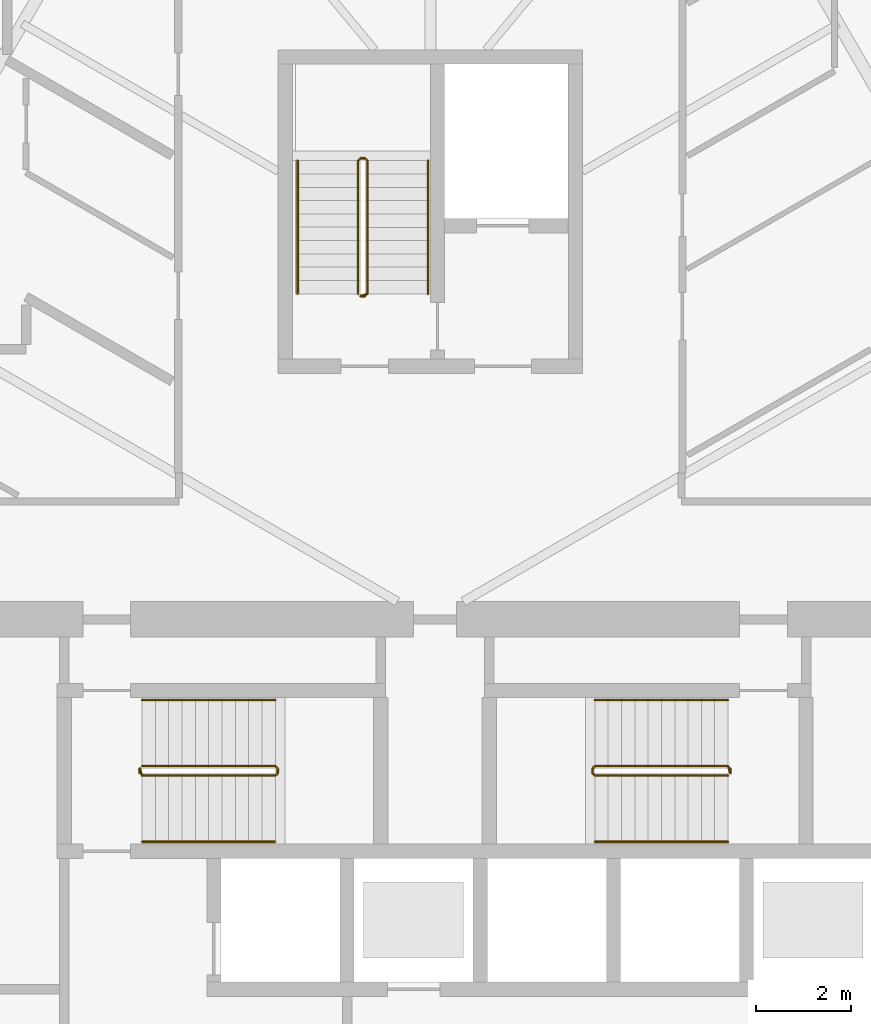
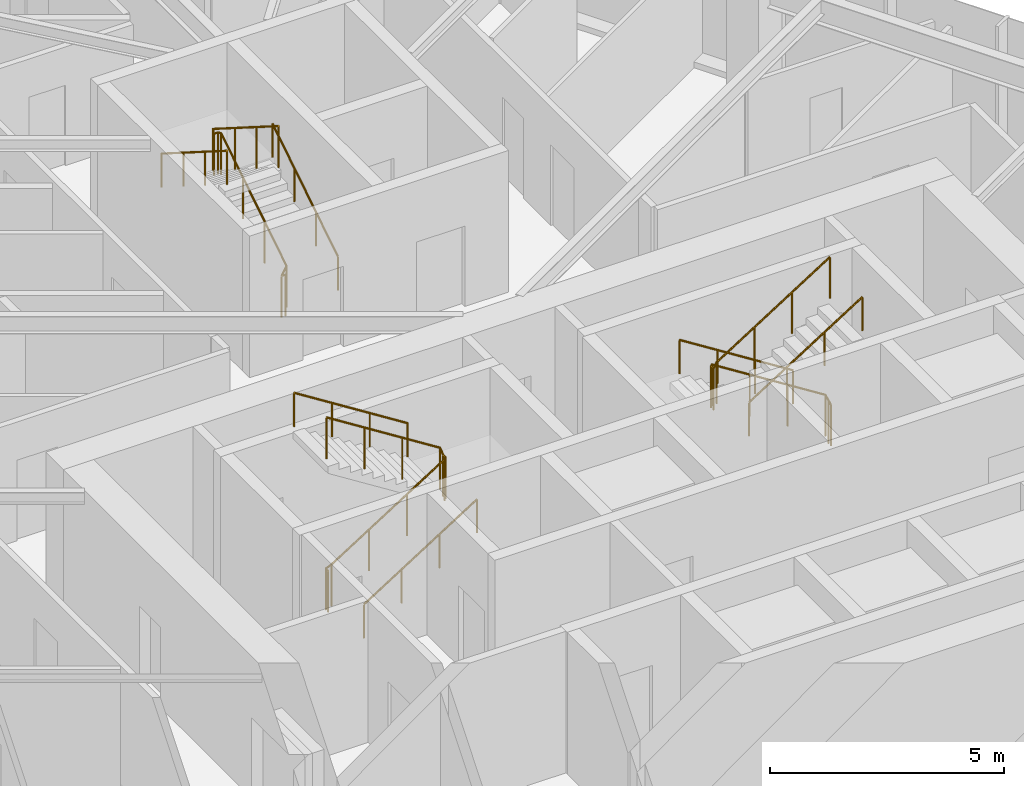
# One storey, part 15 of 16: 9 railings.
"""IFC4 building model written with IfcOpenShell, lengths in metres."""

from ifc_helpers import new_model, si_unit, direction, frame, origin, origin_2d, place, context, subcontext, project, spatial, circle, extrude, material, type_object, element, save


model = new_model("IFC4")

# Units and contexts
model_context = context("Model", 3, precision=1e-05, world=origin(), true_north=direction((0.0, 1.0)))
body_context = subcontext(model_context, "Body", "Model", "MODEL_VIEW")
ifc_project = project(units=[si_unit("LENGTHUNIT", "METRE"), si_unit("AREAUNIT", "SQUARE_METRE"), si_unit("VOLUMEUNIT", "CUBIC_METRE"), si_unit("PLANEANGLEUNIT", "RADIAN"), si_unit("MASSUNIT", "GRAM", prefix="KILO")], contexts=[model_context])

# Site, building, storey
site_placement = place(None, origin())
site = spatial("IfcSite", under=ifc_project, at=site_placement, CompositionType="ELEMENT")
building_placement = place(site_placement, origin())
building = spatial("IfcBuilding", under=site, at=building_placement, Name="Firuza Gate Tower and Library", CompositionType="ELEMENT")
storey_placement = place(building_placement, frame((0.0, 0.0, 229.89990234375)))
storey = spatial("IfcBuildingStorey", under=building, at=storey_placement, Name="L54", CompositionType="ELEMENT", Elevation=229.89990234375)

# Railings
ifc_material_1 = material(Name="Steel S355", Category="steel")
railing_type_1 = type_object("IfcRailingType", Name="Stair guard 1100", PredefinedType="GUARDRAIL", material=ifc_material_1)
railing_1_placement = place(storey_placement, frame((68.889892578125, 79.389892578125, 0.0)))
element("IfcRailing", 1, at=railing_1_placement, inside=storey, type_object=railing_type_1, Name="L54 ST1 stair guard 1", PredefinedType="GUARDRAIL", context=body_context, shape_type="SweptSolid", body=[
    extrude(circle(Radius=0.02392578125, at=origin_2d()), frame((0.0, 0.0, 1.076171875), z_axis=(0.0, 1.0, 0.0), x_axis=(-1.0, 0.0, 0.0)), (0.0, 0.0, 1.0), 0.10009765625),
    extrude(circle(Radius=0.02392578125, at=origin_2d()), frame((0.0, 0.10009765625, 1.076171875), z_axis=(0.210597297161, -0.630764587594, 0.746849927004), x_axis=(0.948528701346, 0.316691178788, 0.0)), (0.0, 0.0, 1.0), 0.237548828125),
    extrude(circle(Radius=0.02392578125, at=origin_2d()), frame((0.050048828125, -0.0498046875, 1.25341796875), z_axis=(0.844908973607, 0.0, 0.534910110503), x_axis=(0.0, 1.0, 0.0)), (0.0, 0.0, 1.0), 3.31396484375),
    extrude(circle(Radius=0.02392578125, at=origin_2d()), frame((2.85009765625, -0.0498046875, 3.0263671875), z_axis=(0.708833529934, 0.705375805398, 0.0), x_axis=(-0.705375805398, 0.708833529934, 0.0)), (0.0, 0.0, 1.0), 0.070556640625),
    extrude(circle(Radius=0.02392578125, at=origin_2d()), frame((2.900146484375, 0.0, 3.0263671875), z_axis=(0.0, 1.0, 0.0), x_axis=(-1.0, 0.0, 0.0)), (0.0, 0.0, 1.0), 0.10009765625),
    extrude(circle(Radius=0.02392578125, at=origin_2d()), frame((2.900146484375, 0.10009765625, 3.0263671875), z_axis=(-0.262233686654, 0.262233686654, 0.928691007369), x_axis=(-0.707106781187, -0.707106781187, 0.0)), (0.0, 0.0, 1.0), 0.19091796875),
    extrude(circle(Radius=0.02392578125, at=origin_2d()), frame((2.85009765625, 0.150146484375, 3.20361328125), z_axis=(-0.844908973607, 0.0, 0.534910110503), x_axis=(0.0, -1.0, 0.0)), (0.0, 0.0, 1.0), 3.31396484375),
    extrude(circle(Radius=0.02099609375, at=origin_2d()), origin(), (0.0, 0.0, 1.0), 1.052001953125),
    extrude(circle(Radius=0.02099609375, at=origin_2d()), frame((0.0, 0.10009765625, 0.0)), (0.0, 0.0, 1.0), 1.052001953125),
    extrude(circle(Radius=0.02099609375, at=origin_2d()), frame((0.050048828125, -0.0498046875, 0.177490234375)), (0.0, 0.0, 1.0), 1.052001953125),
    extrude(circle(Radius=0.02099609375, at=origin_2d()), frame((0.9833984375, -0.0498046875, 0.768310546875)), (0.0, 0.0, 1.0), 1.052001953125),
    extrude(circle(Radius=0.02099609375, at=origin_2d()), frame((1.916748046875, -0.0498046875, 1.359375)), (0.0, 0.0, 1.0), 1.052001953125),
    extrude(circle(Radius=0.02099609375, at=origin_2d()), frame((2.85009765625, -0.0498046875, 1.9501953125)), (0.0, 0.0, 1.0), 1.052001953125),
    extrude(circle(Radius=0.02099609375, at=origin_2d()), frame((2.900146484375, 0.0, 1.9501953125)), (0.0, 0.0, 1.0), 1.052001953125),
    extrude(circle(Radius=0.02099609375, at=origin_2d()), frame((2.900146484375, 0.10009765625, 1.9501953125)), (0.0, 0.0, 1.0), 1.052001953125),
    extrude(circle(Radius=0.02099609375, at=origin_2d()), frame((2.85009765625, 0.150146484375, 2.12744140625)), (0.0, 0.0, 1.0), 1.052001953125),
    extrude(circle(Radius=0.02099609375, at=origin_2d()), frame((1.916748046875, 0.150146484375, 2.71826171875)), (0.0, 0.0, 1.0), 1.052001953125),
    extrude(circle(Radius=0.02099609375, at=origin_2d()), frame((0.9833984375, 0.150146484375, 3.309326171875)), (0.0, 0.0, 1.0), 1.052001953125),
    extrude(circle(Radius=0.02099609375, at=origin_2d()), frame((0.050048828125, 0.150146484375, 3.900146484375)), (0.0, 0.0, 1.0), 1.052001953125),
])
railing_2_placement = place(storey_placement, frame((81.31005859375, 79.489990234375, 0.0)))
element("IfcRailing", 2, at=railing_2_placement, inside=storey, type_object=railing_type_1, Name="L54 ST2 stair guard 1", PredefinedType="GUARDRAIL", context=body_context, shape_type="SweptSolid", body=[
    extrude(circle(Radius=0.02392578125, at=origin_2d()), frame((0.0, 0.0, 1.076171875), z_axis=(0.0, -1.0, 0.0), x_axis=(1.0, 0.0, 0.0)), (0.0, 0.0, 1.0), 0.10009765625),
    extrude(circle(Radius=0.02392578125, at=origin_2d()), frame((0.0, -0.10009765625, 1.076171875), z_axis=(-0.210460854454, 0.631382563363, 0.746366054577), x_axis=(-0.948683298051, -0.316227766017, 0.0)), (0.0, 0.0, 1.0), 0.23779296875),
    extrude(circle(Radius=0.02392578125, at=origin_2d()), frame((-0.050048828125, 0.050048828125, 1.25341796875), z_axis=(-0.844908973607, 0.0, 0.534910110503), x_axis=(0.0, -1.0, 0.0)), (0.0, 0.0, 1.0), 3.31396484375),
    extrude(circle(Radius=0.02392578125, at=origin_2d()), frame((-2.85009765625, 0.050048828125, 3.0263671875), z_axis=(-0.707106781187, -0.707106781187, 0.0), x_axis=(0.707106781187, -0.707106781187, 0.0)), (0.0, 0.0, 1.0), 0.07080078125),
    extrude(circle(Radius=0.02392578125, at=origin_2d()), frame((-2.900146484375, 0.0, 3.0263671875), z_axis=(0.0, -1.0, 0.0), x_axis=(1.0, 0.0, 0.0)), (0.0, 0.0, 1.0), 0.10009765625),
    extrude(circle(Radius=0.02392578125, at=origin_2d()), frame((-2.900146484375, -0.10009765625, 3.0263671875), z_axis=(0.262321481514, -0.261041864531, 0.929001929653), x_axis=(0.705375805398, 0.708833529934, 0.0)), (0.0, 0.0, 1.0), 0.190673828125),
    extrude(circle(Radius=0.02392578125, at=origin_2d()), frame((-2.85009765625, -0.14990234375, 3.20361328125), z_axis=(0.844908973607, 0.0, 0.534910110503), x_axis=(0.0, 1.0, 0.0)), (0.0, 0.0, 1.0), 3.31396484375),
    extrude(circle(Radius=0.02099609375, at=origin_2d()), origin(), (0.0, 0.0, 1.0), 1.052001953125),
    extrude(circle(Radius=0.02099609375, at=origin_2d()), frame((0.0, -0.10009765625, 0.0)), (0.0, 0.0, 1.0), 1.052001953125),
    extrude(circle(Radius=0.02099609375, at=origin_2d()), frame((-0.050048828125, 0.050048828125, 0.177490234375)), (0.0, 0.0, 1.0), 1.052001953125),
    extrude(circle(Radius=0.02099609375, at=origin_2d()), frame((-0.9833984375, 0.050048828125, 0.768310546875)), (0.0, 0.0, 1.0), 1.052001953125),
    extrude(circle(Radius=0.02099609375, at=origin_2d()), frame((-1.916748046875, 0.050048828125, 1.359375)), (0.0, 0.0, 1.0), 1.052001953125),
    extrude(circle(Radius=0.02099609375, at=origin_2d()), frame((-2.85009765625, 0.050048828125, 1.9501953125)), (0.0, 0.0, 1.0), 1.052001953125),
    extrude(circle(Radius=0.02099609375, at=origin_2d()), frame((-2.900146484375, 0.0, 1.9501953125)), (0.0, 0.0, 1.0), 1.052001953125),
    extrude(circle(Radius=0.02099609375, at=origin_2d()), frame((-2.900146484375, -0.10009765625, 1.9501953125)), (0.0, 0.0, 1.0), 1.052001953125),
    extrude(circle(Radius=0.02099609375, at=origin_2d()), frame((-2.85009765625, -0.14990234375, 2.12744140625)), (0.0, 0.0, 1.0), 1.052001953125),
    extrude(circle(Radius=0.02099609375, at=origin_2d()), frame((-1.916748046875, -0.14990234375, 2.71826171875)), (0.0, 0.0, 1.0), 1.052001953125),
    extrude(circle(Radius=0.02099609375, at=origin_2d()), frame((-0.9833984375, -0.14990234375, 3.309326171875)), (0.0, 0.0, 1.0), 1.052001953125),
    extrude(circle(Radius=0.02099609375, at=origin_2d()), frame((-0.050048828125, -0.14990234375, 3.900146484375)), (0.0, 0.0, 1.0), 1.052001953125),
])
railing_3_placement = place(storey_placement, frame((73.6298828125, 89.419921875, 0.0)))
element("IfcRailing", 3, at=railing_3_placement, inside=storey, type_object=railing_type_1, Name="L54 ST3 stair guard 1", PredefinedType="GUARDRAIL", context=body_context, shape_type="SweptSolid", body=[
    extrude(circle(Radius=0.02392578125, at=origin_2d()), frame((0.0, 0.0, 1.076171875), z_axis=(-1.0, 0.0, 0.0), x_axis=(0.0, -1.0, 0.0)), (0.0, 0.0, 1.0), 0.099853515625),
    extrude(circle(Radius=0.02392578125, at=origin_2d()), frame((-0.099853515625, 0.0, 1.076171875), z_axis=(0.630764587594, 0.210597297161, 0.746849927004), x_axis=(-0.316691178788, 0.948528701346, 0.0)), (0.0, 0.0, 1.0), 0.237548828125),
    extrude(circle(Radius=0.02392578125, at=origin_2d()), frame((0.050048828125, 0.050048828125, 1.25341796875), z_axis=(0.0, 0.844908973607, 0.534910110503), x_axis=(-1.0, 0.0, 0.0)), (0.0, 0.0, 1.0), 3.31396484375),
    extrude(circle(Radius=0.02392578125, at=origin_2d()), frame((0.050048828125, 2.85009765625, 3.0263671875), z_axis=(-0.707106781187, 0.707106781187, 0.0), x_axis=(-0.707106781187, -0.707106781187, 0.0)), (0.0, 0.0, 1.0), 0.07080078125),
    extrude(circle(Radius=0.02392578125, at=origin_2d()), frame((0.0, 2.900146484375, 3.0263671875), z_axis=(-1.0, 0.0, 0.0), x_axis=(0.0, -1.0, 0.0)), (0.0, 0.0, 1.0), 0.099853515625),
    extrude(circle(Radius=0.02392578125, at=origin_2d()), frame((-0.099853515625, 2.900146484375, 3.0263671875), z_axis=(-0.262233686654, -0.262233686654, 0.928691007369), x_axis=(0.707106781187, -0.707106781187, 0.0)), (0.0, 0.0, 1.0), 0.19091796875),
    extrude(circle(Radius=0.02392578125, at=origin_2d()), frame((-0.14990234375, 2.85009765625, 3.20361328125), z_axis=(0.0, -0.844908973607, 0.534910110503), x_axis=(1.0, 0.0, 0.0)), (0.0, 0.0, 1.0), 3.31396484375),
    extrude(circle(Radius=0.02099609375, at=origin_2d()), origin(), (0.0, 0.0, 1.0), 1.052001953125),
    extrude(circle(Radius=0.02099609375, at=origin_2d()), frame((-0.099853515625, 0.0, 0.0)), (0.0, 0.0, 1.0), 1.052001953125),
    extrude(circle(Radius=0.02099609375, at=origin_2d()), frame((0.050048828125, 0.050048828125, 0.177490234375)), (0.0, 0.0, 1.0), 1.052001953125),
    extrude(circle(Radius=0.02099609375, at=origin_2d()), frame((0.050048828125, 0.9833984375, 0.768310546875)), (0.0, 0.0, 1.0), 1.052001953125),
    extrude(circle(Radius=0.02099609375, at=origin_2d()), frame((0.050048828125, 1.916748046875, 1.359375)), (0.0, 0.0, 1.0), 1.052001953125),
    extrude(circle(Radius=0.02099609375, at=origin_2d()), frame((0.050048828125, 2.85009765625, 1.9501953125)), (0.0, 0.0, 1.0), 1.052001953125),
    extrude(circle(Radius=0.02099609375, at=origin_2d()), frame((0.0, 2.900146484375, 1.9501953125)), (0.0, 0.0, 1.0), 1.052001953125),
    extrude(circle(Radius=0.02099609375, at=origin_2d()), frame((-0.099853515625, 2.900146484375, 1.9501953125)), (0.0, 0.0, 1.0), 1.052001953125),
    extrude(circle(Radius=0.02099609375, at=origin_2d()), frame((-0.14990234375, 2.85009765625, 2.12744140625)), (0.0, 0.0, 1.0), 1.052001953125),
    extrude(circle(Radius=0.02099609375, at=origin_2d()), frame((-0.14990234375, 1.916748046875, 2.71826171875)), (0.0, 0.0, 1.0), 1.052001953125),
    extrude(circle(Radius=0.02099609375, at=origin_2d()), frame((-0.14990234375, 0.9833984375, 3.309326171875)), (0.0, 0.0, 1.0), 1.052001953125),
    extrude(circle(Radius=0.02099609375, at=origin_2d()), frame((-0.14990234375, 0.050048828125, 3.900146484375)), (0.0, 0.0, 1.0), 1.052001953125),
])
ifc_material_2 = material(Name="Steel S355", Category="steel")
railing_type_2 = type_object("IfcRailingType", Name="Stair handrail 900", PredefinedType="HANDRAIL", material=ifc_material_2)
railing_4_placement = place(storey_placement, frame((68.93994140625, 77.949951171875, 0.177490234375)))
element("IfcRailing", 4, at=railing_4_placement, inside=storey, type_object=railing_type_2, Name="L54 ST1 stair handrail 1", PredefinedType="HANDRAIL", context=body_context, shape_type="SweptSolid", body=[
    extrude(circle(Radius=0.02392578125, at=origin_2d()), frame((0.0, 0.0, 0.8759765625), z_axis=(0.844908973607, 0.0, 0.534910110503), x_axis=(0.0, 1.0, 0.0)), (0.0, 0.0, 1.0), 3.31396484375),
    extrude(circle(Radius=0.02099609375, at=origin_2d()), origin(), (0.0, 0.0, 1.0), 0.851806640625),
    extrude(circle(Radius=0.02099609375, at=origin_2d()), frame((0.933349609375, 0.0, 0.5908203125)), (0.0, 0.0, 1.0), 0.851806640625),
    extrude(circle(Radius=0.02099609375, at=origin_2d()), frame((1.86669921875, 0.0, 1.181884765625)), (0.0, 0.0, 1.0), 0.851806640625),
    extrude(circle(Radius=0.02099609375, at=origin_2d()), frame((2.800048828125, 0.0, 1.772705078125)), (0.0, 0.0, 1.0), 0.851806640625),
])
for number, where, name in (
    (5, (71.739990234375, 80.929931640625, 2.12744140625), "L54 ST1 stair handrail 2"),
    (6, (81.260009765625, 80.929931640625, 0.177490234375), "L54 ST2 stair handrail 1"),
):
    element("IfcRailing", number, at=place(storey_placement, frame(where)), inside=storey, type_object=railing_type_2, Name=name, PredefinedType="HANDRAIL", context=body_context, shape_type="SweptSolid", body=[
        extrude(circle(Radius=0.02392578125, at=origin_2d()), frame((0.0, 0.0, 0.8759765625), z_axis=(-0.844908973607, 0.0, 0.534910110503), x_axis=(0.0, -1.0, 0.0)), (0.0, 0.0, 1.0), 3.31396484375),
        extrude(circle(Radius=0.02099609375, at=origin_2d()), origin(), (0.0, 0.0, 1.0), 0.851806640625),
        extrude(circle(Radius=0.02099609375, at=origin_2d()), frame((-0.933349609375, 0.0, 0.5908203125)), (0.0, 0.0, 1.0), 0.851806640625),
        extrude(circle(Radius=0.02099609375, at=origin_2d()), frame((-1.86669921875, 0.0, 1.181884765625)), (0.0, 0.0, 1.0), 0.851806640625),
        extrude(circle(Radius=0.02099609375, at=origin_2d()), frame((-2.800048828125, 0.0, 1.772705078125)), (0.0, 0.0, 1.0), 0.851806640625),
    ])
railing_5_placement = place(storey_placement, frame((78.4599609375, 77.949951171875, 2.12744140625)))
element("IfcRailing", 7, at=railing_5_placement, inside=storey, type_object=railing_type_2, Name="L54 ST2 stair handrail 2", PredefinedType="HANDRAIL", context=body_context, shape_type="SweptSolid", body=[
    extrude(circle(Radius=0.02392578125, at=origin_2d()), frame((0.0, 0.0, 0.8759765625), z_axis=(0.844908973607, 0.0, 0.534910110503), x_axis=(0.0, 1.0, 0.0)), (0.0, 0.0, 1.0), 3.31396484375),
    extrude(circle(Radius=0.02099609375, at=origin_2d()), origin(), (0.0, 0.0, 1.0), 0.851806640625),
    extrude(circle(Radius=0.02099609375, at=origin_2d()), frame((0.933349609375, 0.0, 0.5908203125)), (0.0, 0.0, 1.0), 0.851806640625),
    extrude(circle(Radius=0.02099609375, at=origin_2d()), frame((1.86669921875, 0.0, 1.181884765625)), (0.0, 0.0, 1.0), 0.851806640625),
    extrude(circle(Radius=0.02099609375, at=origin_2d()), frame((2.800048828125, 0.0, 1.772705078125)), (0.0, 0.0, 1.0), 0.851806640625),
])
railing_6_placement = place(storey_placement, frame((74.949951171875, 89.469970703125, 0.177490234375)))
element("IfcRailing", 8, at=railing_6_placement, inside=storey, type_object=railing_type_2, Name="L54 ST3 stair handrail 1", PredefinedType="HANDRAIL", context=body_context, shape_type="SweptSolid", body=[
    extrude(circle(Radius=0.02392578125, at=origin_2d()), frame((0.0, 0.0, 0.8759765625), z_axis=(0.0, 0.844908973607, 0.534910110503), x_axis=(-1.0, 0.0, 0.0)), (0.0, 0.0, 1.0), 3.31396484375),
    extrude(circle(Radius=0.02099609375, at=origin_2d()), origin(), (0.0, 0.0, 1.0), 0.851806640625),
    extrude(circle(Radius=0.02099609375, at=origin_2d()), frame((0.0, 0.933349609375, 0.5908203125)), (0.0, 0.0, 1.0), 0.851806640625),
    extrude(circle(Radius=0.02099609375, at=origin_2d()), frame((0.0, 1.86669921875, 1.181884765625)), (0.0, 0.0, 1.0), 0.851806640625),
    extrude(circle(Radius=0.02099609375, at=origin_2d()), frame((0.0, 2.800048828125, 1.772705078125)), (0.0, 0.0, 1.0), 0.851806640625),
])
railing_7_placement = place(storey_placement, frame((72.2099609375, 92.27001953125, 2.12744140625)))
element("IfcRailing", 9, at=railing_7_placement, inside=storey, type_object=railing_type_2, Name="L54 ST3 stair handrail 2", PredefinedType="HANDRAIL", context=body_context, shape_type="SweptSolid", body=[
    extrude(circle(Radius=0.02392578125, at=origin_2d()), frame((0.0, 0.0, 0.8759765625), z_axis=(0.0, -0.844908973607, 0.534910110503), x_axis=(1.0, 0.0, 0.0)), (0.0, 0.0, 1.0), 3.31396484375),
    extrude(circle(Radius=0.02099609375, at=origin_2d()), origin(), (0.0, 0.0, 1.0), 0.851806640625),
    extrude(circle(Radius=0.02099609375, at=origin_2d()), frame((0.0, -0.933349609375, 0.5908203125)), (0.0, 0.0, 1.0), 0.851806640625),
    extrude(circle(Radius=0.02099609375, at=origin_2d()), frame((0.0, -1.86669921875, 1.181884765625)), (0.0, 0.0, 1.0), 0.851806640625),
    extrude(circle(Radius=0.02099609375, at=origin_2d()), frame((0.0, -2.800048828125, 1.772705078125)), (0.0, 0.0, 1.0), 0.851806640625),
])

save(model, "model.ifc")
